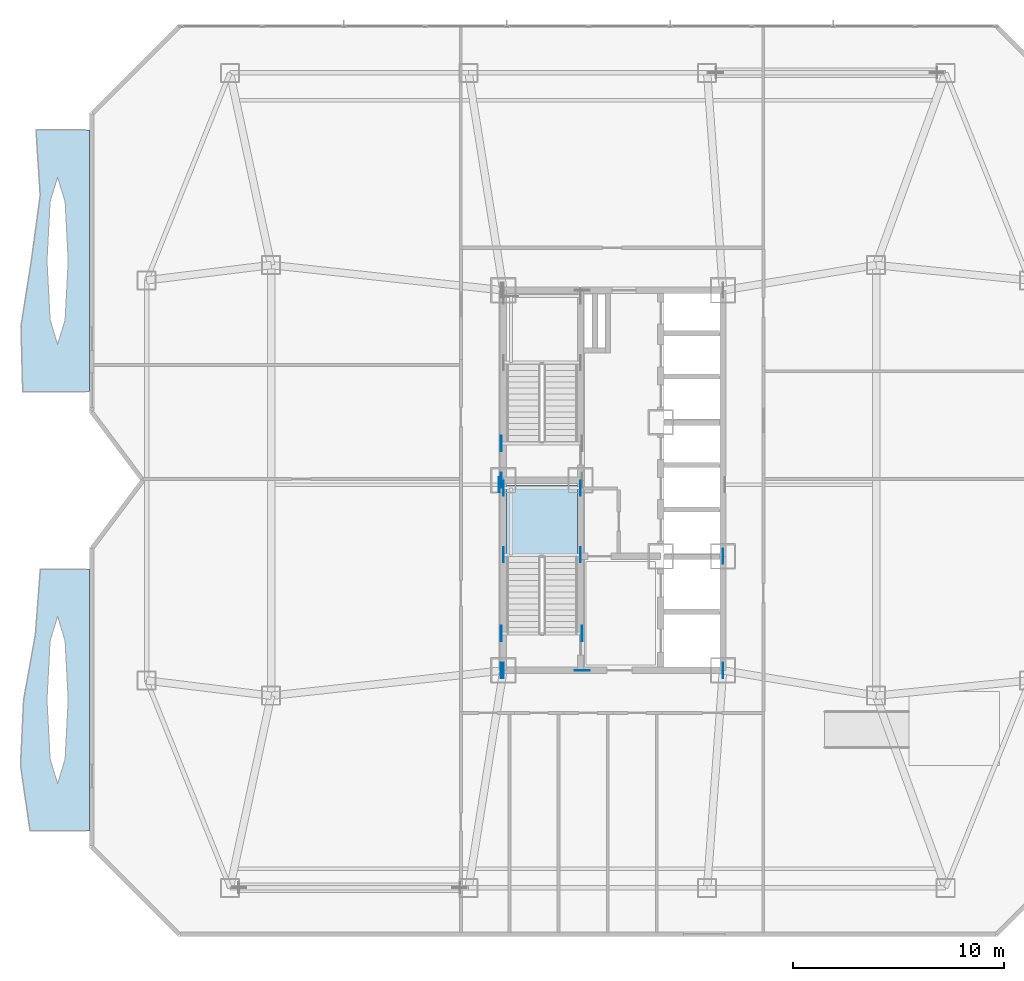
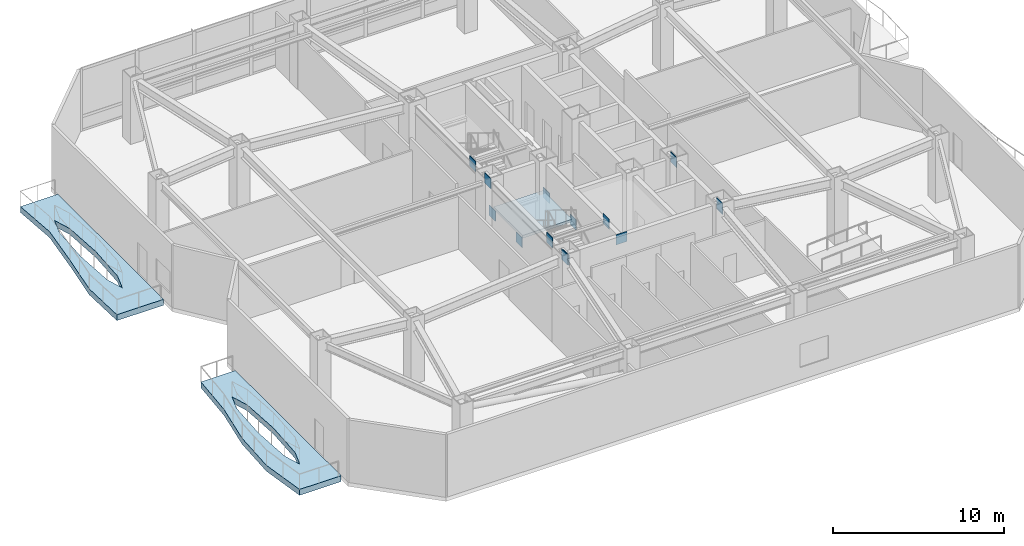
# One storey, part 5 of 16: 15 plates, 3 slabs, 1 element without a shape of its own.
"""IFC4 building model written with IfcOpenShell, lengths in metres."""

from ifc_helpers import new_model, si_unit, direction, frame, origin, origin_2d, place, context, subcontext, project, spatial, polyline, rectangle, outline, extrude, material, layer, layer_set, type_object, element, aggregate, save


model = new_model("IFC4")

# Units and contexts
model_context = context("Model", 3, precision=1e-05, world=origin(), true_north=direction((0.0, 1.0)))
body_context = subcontext(model_context, "Body", "Model", "MODEL_VIEW")
ifc_project = project(units=[si_unit("LENGTHUNIT", "METRE"), si_unit("AREAUNIT", "SQUARE_METRE"), si_unit("VOLUMEUNIT", "CUBIC_METRE"), si_unit("PLANEANGLEUNIT", "RADIAN"), si_unit("MASSUNIT", "GRAM", prefix="KILO")], contexts=[model_context])

# Site, building, storey
site_placement = place(None, origin())
site = spatial("IfcSite", under=ifc_project, at=site_placement, CompositionType="ELEMENT")
building_placement = place(site_placement, origin())
building = spatial("IfcBuilding", under=site, at=building_placement, Name="Khamvora Tower", CompositionType="ELEMENT")
storey_placement = place(building_placement, frame((0.0, 0.0, 145.699951171875)))
storey = spatial("IfcBuildingStorey", under=building, at=storey_placement, Name="L37", CompositionType="ELEMENT", Elevation=145.699951171875)

# Plates
ifc_material_1 = material(Name="Steel S460", Category="steel")
ifc_layer_1 = layer(ifc_material_1, 0.034912109375)
ifc_layer_set_1 = layer_set([ifc_layer_1], Name="Steel S460")
plate_type = type_object("IfcPlateType", Name="PL-EMB-35", PredefinedType="SHEET", material=ifc_layer_set_1)
for number, where, z_axis, x_axis, name in (
    (1, (29.0, 24.47509765625, 1.708984375), (0.0, 0.0, 1.0), (1.0, 0.0, 0.0), "L37 core shear wall cast-in embed plate 1076"),
    (2, (32.64990234375, 24.47509765625, 1.708984375), (0.0, 0.0, 1.0), (1.0, 0.0, 0.0), "L37 core shear wall cast-in embed plate 1077"),
    (3, (29.0, 27.6298828125, 1.708984375), (0.0, 0.0, 1.0), (1.0, 0.0, 0.0), "L37 core shear wall cast-in embed plate 1078"),
    (4, (32.64990234375, 27.6298828125, 1.708984375), (0.0, 0.0, 1.0), (1.0, 0.0, 0.0), "L37 core shear wall cast-in embed plate 1079"),
    (5, (29.0, 19.0, 3.77294921875), (0.0, 0.0, 1.0), (1.0, 0.0, 0.0), "L37 core shear wall cast-in embed plate 1085"),
    (6, (39.39990234375, 19.0, 3.77294921875), (0.0, 0.0, 1.0), (1.0, 0.0, 0.0), "L37 core shear wall cast-in embed plate 1086"),
    (7, (28.89990234375, 19.0, 3.85302734375), (0.0, 0.0, 1.0), (1.0, 0.0, 0.0), "L37 core shear wall cast-in embed plate 1089"),
    (8, (28.89990234375, 28.0, 3.85302734375), (0.0, 0.0, 1.0), (1.0, 0.0, 0.0), "L37 core shear wall cast-in embed plate 1090"),
):
    element("IfcPlate", number, at=place(storey_placement, frame(where, z_axis=z_axis, x_axis=x_axis)), inside=storey, type_object=plate_type, Name=name, PredefinedType="SHEET", context=body_context, shape_type="SweptSolid", body=[
        extrude(rectangle(XDim=0.034912109375, YDim=0.719970703125, at=origin_2d()), origin(), (0.0, 0.0, 1.0), 0.719970703125),
    ])
plate_placement = place(storey_placement, frame((32.72998046875, 19.0, 3.85302734375), z_axis=(0.0, 0.0, 1.0), x_axis=(1.0, 0.0, 0.0)))
element("IfcPlate", 9, at=plate_placement, inside=storey, type_object=plate_type, Name="L37 core shear wall cast-in embed plate 1092", PredefinedType="SHEET", context=body_context, shape_type="SweptSolid", body=[
    extrude(rectangle(XDim=0.719970703125, YDim=0.034912109375, at=origin_2d()), origin(), (0.0, 0.0, 1.0), 0.719970703125),
])
for number, where, z_axis, x_axis, name in (
    (10, (39.39990234375, 19.0, 3.85302734375), (0.0, 0.0, 1.0), (1.0, 0.0, 0.0), "L37 core shear wall cast-in embed plate 1095"),
    (11, (39.39990234375, 24.39990234375, 3.85302734375), (0.0, 0.0, 1.0), (1.0, 0.0, 0.0), "L37 core shear wall cast-in embed plate 1096"),
    (12, (28.89990234375, 20.75, 3.994140625), (0.0, 0.0, 1.0), (1.0, 0.0, 0.0), "L37 core shear wall cast-in embed plate 1098"),
    (13, (32.72998046875, 20.75, 3.994140625), (0.0, 0.0, 1.0), (1.0, 0.0, 0.0), "L37 core shear wall cast-in embed plate 1099"),
    (14, (28.89990234375, 29.75, 3.994140625), (0.0, 0.0, 1.0), (1.0, 0.0, 0.0), "L37 core shear wall cast-in embed plate 1100"),
    (15, (28.800048828125, 27.800048828125, 3.9638671875), (0.0, 0.0, 1.0), (1.0, 0.0, 0.0), "L37 core shear wall cast-in embed plate 1102"),
):
    element("IfcPlate", number, at=place(storey_placement, frame(where, z_axis=z_axis, x_axis=x_axis)), inside=storey, type_object=plate_type, Name=name, PredefinedType="SHEET", context=body_context, shape_type="SweptSolid", body=[
        extrude(rectangle(XDim=0.034912109375, YDim=0.719970703125, at=origin_2d()), origin(), (0.0, 0.0, 1.0), 0.719970703125),
    ])

# Slabs
ifc_material_2 = material(Name="Concrete C40/50", Category="concrete")
ifc_layer_2 = layer(ifc_material_2, 0.419921875)
ifc_layer_set_2 = layer_set([ifc_layer_2], Name="Concrete C40/50")
slab_type_1 = type_object("IfcSlabType", Name="SLB-GRD-420", PredefinedType="FLOOR", material=ifc_layer_set_2)
slab_1_placement = place(storey_placement, frame((0.0, 0.0, -0.419921875)))
element("IfcSlab", 16, at=slab_1_placement, inside=storey, type_object=slab_type_1, Name="L37 external lens gallery slab WL1", PredefinedType="FLOOR", context=body_context, shape_type="SweptSolid", body=[
    extrude(outline(polyline([(9.39990234375, 11.39990234375), (9.39990234375, 23.800048828125), (7.068115234375, 23.800048828125), (6.83203125, 20.699951171875), (6.27587890625, 17.60009765625), (6.1279296875, 14.5), (6.580078125, 11.39990234375), (9.39990234375, 11.39990234375)]), holes=[polyline([(8.388916015625, 17.60009765625), (8.240966796875, 20.406005859375), (7.885009765625, 21.568115234375), (7.529052734375, 20.406005859375), (7.381103515625, 17.60009765625), (7.529052734375, 14.7939453125), (7.885009765625, 13.632080078125), (8.240966796875, 14.7939453125), (8.388916015625, 17.60009765625)])]), origin(), (0.0, 0.0, 1.0), 0.419921875),
])
slab_2_placement = place(storey_placement, frame((0.0, 0.0, -0.419921875)))
element("IfcSlab", 17, at=slab_2_placement, inside=storey, type_object=slab_type_1, Name="L37 external lens gallery slab WL2", PredefinedType="FLOOR", context=body_context, shape_type="SweptSolid", body=[
    extrude(outline(polyline([(9.39990234375, 32.199951171875), (9.39990234375, 44.60009765625), (6.862060546875, 44.60009765625), (7.06005859375, 41.5), (6.639892578125, 38.39990234375), (6.15087890625, 35.300048828125), (6.23291015625, 32.199951171875), (9.39990234375, 32.199951171875)]), holes=[polyline([(8.388916015625, 38.39990234375), (8.240966796875, 41.2060546875), (7.885009765625, 42.367919921875), (7.529052734375, 41.2060546875), (7.381103515625, 38.39990234375), (7.529052734375, 35.593994140625), (7.885009765625, 34.431884765625), (8.240966796875, 35.593994140625), (8.388916015625, 38.39990234375)])]), origin(), (0.0, 0.0, 1.0), 0.419921875),
])

# Stair, slab
stair_type = type_object("IfcStairType", Name="STR-ST-01", PredefinedType="HALF_TURN_STAIR", material=ifc_material_2)
stair_placement = place(storey_placement, origin())
stair = element("IfcStair", 18, at=stair_placement, inside=storey, type_object=stair_type, Name="L37 South Tower Exit Stair ST-01", PredefinedType="HALF_TURN_STAIR")
ifc_layer_3 = layer(ifc_material_2, 0.199951171875)
ifc_layer_set_3 = layer_set([ifc_layer_3], Name="Concrete C40/50")
slab_type_2 = type_object("IfcSlabType", Name="SLB-LND-200", PredefinedType="LANDING", material=ifc_layer_set_3)
slab_3_placement = place(storey_placement, frame((0.0, 0.0, 2.199951171875)))
slab_3 = element("IfcSlab", 19, at=slab_3_placement, type_object=slab_type_2, Name="ST-01 landing 1", PredefinedType="LANDING", context=body_context, shape_type="SweptSolid", body=[
    extrude(outline(polyline([(32.5, 24.35498046875), (32.5, 27.75), (29.14990234375, 27.75), (29.14990234375, 24.35498046875), (32.5, 24.35498046875)])), origin(), (0.0, 0.0, 1.0), 0.2001953125),
])
aggregate(stair, [slab_3])

save(model, "model.ifc")
